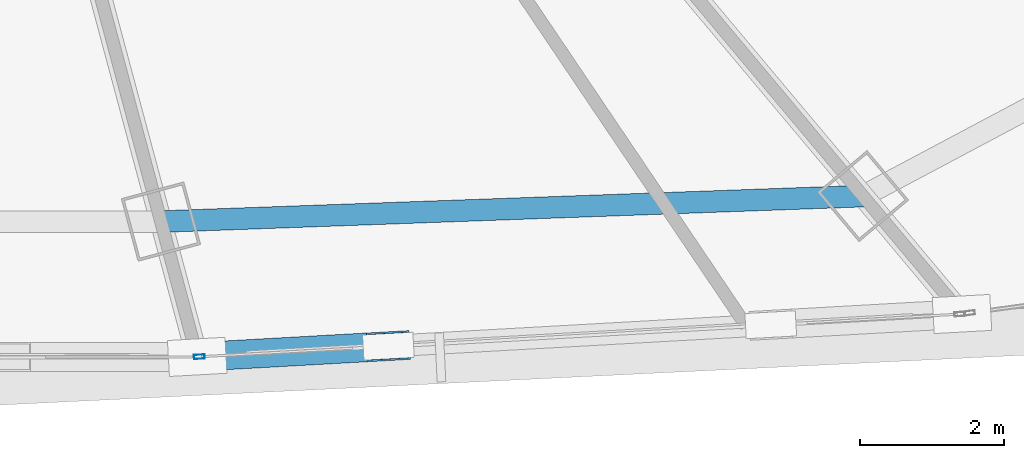
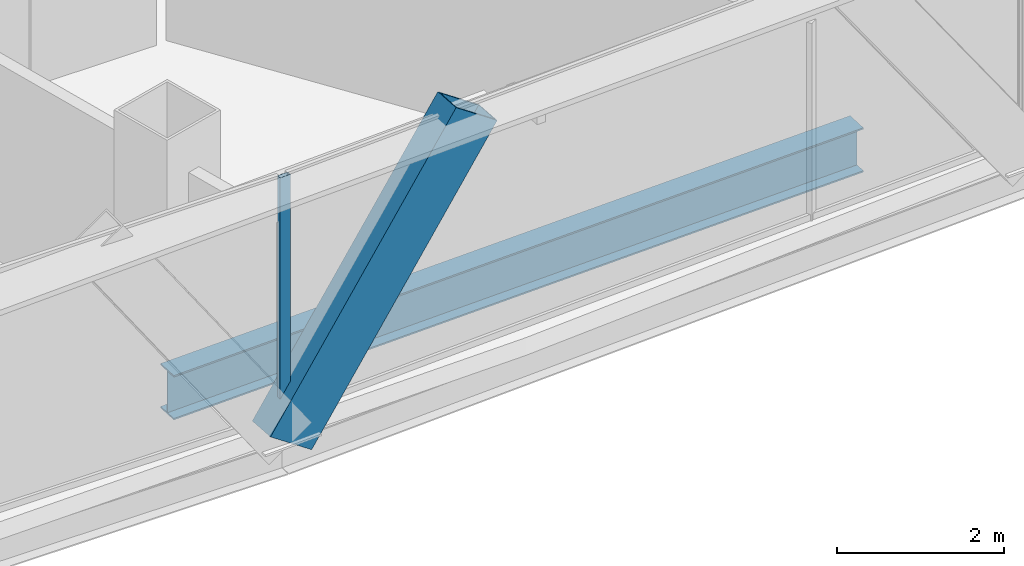
# One storey, part 12 of 37: 2 members, 1 beam, 1 element without a shape of its own.
"""IFC4 building model written with IfcOpenShell, lengths in metres."""

from ifc_helpers import new_model, si_unit, direction, frame, origin, origin_2d, place, context, subcontext, project, spatial, hollow_rectangle, i_section, extrude, source, transform, mapped, material, layer, layer_set, material_profile, profile_set, type_object, element, aggregate, save


model = new_model("IFC4")

# Units and contexts
model_context = context("Model", 3, precision=1e-05, world=origin(), true_north=direction((0.0, 1.0)))
body_context = subcontext(model_context, "Body", "Model", "MODEL_VIEW")
ifc_project = project(units=[si_unit("LENGTHUNIT", "METRE"), si_unit("AREAUNIT", "SQUARE_METRE"), si_unit("VOLUMEUNIT", "CUBIC_METRE"), si_unit("PLANEANGLEUNIT", "RADIAN"), si_unit("MASSUNIT", "GRAM", prefix="KILO"), si_unit("THERMODYNAMICTEMPERATUREUNIT", "KELVIN"), si_unit("POWERUNIT", "WATT")], contexts=[model_context])

# Site, building, storey
site_placement = place(None, origin())
site = spatial("IfcSite", under=ifc_project, at=site_placement, CompositionType="ELEMENT")
building_placement = place(site_placement, origin())
building = spatial("IfcBuilding", under=site, at=building_placement, Name="Yunzhuo Pagoda Commons", CompositionType="ELEMENT")
storey_placement = place(building_placement, frame((0.0, 0.0, 192.360107421875)))
storey = spatial("IfcBuildingStorey", under=building, at=storey_placement, Name="L48", CompositionType="ELEMENT", Elevation=192.360107421875)

# Beam
ifc_material_1 = material(Name="Structural steel Q355B", Category="steel")
ifc_material_profile_1 = material_profile(ifc_material_1, i_section(OverallWidth=0.300048828125, OverallDepth=0.64990234375, WebThickness=0.012939453125, FlangeThickness=0.02197265625, at=origin_2d()), Name="Structural steel Q355B")
ifc_profile_set_1 = profile_set([ifc_material_profile_1], Name="Structural steel Q355B")
beam_type = type_object("IfcBeamType", Name="B-RG2 Beam HN 650x300x13x22", PredefinedType="BEAM", material=ifc_profile_set_1)
shared_shape_1 = source(origin(), body_context, "Body", "SweptSolid", [
    extrude(i_section(OverallWidth=0.300048828125, OverallDepth=0.64990234375, WebThickness=0.012939453125, FlangeThickness=0.02197265625, at=origin_2d()), origin(), (0.0, 0.0, 1.0), 9.754638671875),
])
beam_placement = place(storey_placement, frame((52.712890625, 16.1123046875, -0.585205078125), z_axis=(0.999343095614, 0.036240547032, 0.0), x_axis=(-0.036240547032, 0.999343095614, 0.0)))
element("IfcBeam", 1, at=beam_placement, inside=storey, type_object=beam_type, Name="L48 column-ring beam 3", PredefinedType="BEAM", context=body_context, shape_type="MappedRepresentation", body=[
    mapped(shared_shape_1, transform((0.0, 0.0, 0.0), scale=1.0)),
])

# Member
ifc_material_profile_2 = material_profile(ifc_material_1, hollow_rectangle(XDim=0.39990234375, YDim=0.719970703125, WallThickness=0.02392578125, at=origin_2d()), Name="Structural steel Q355B")
ifc_profile_set_2 = profile_set([ifc_material_profile_2], Name="Structural steel Q355B")
member_type_1 = type_object("IfcMemberType", Name="M-DL2 Brace BOX 720x400x24", PredefinedType="BRACE", material=ifc_profile_set_2)
shared_shape_2 = source(origin(), body_context, "Body", "SweptSolid", [
    extrude(hollow_rectangle(XDim=0.39990234375, YDim=0.719970703125, WallThickness=0.02392578125, at=origin_2d()), origin(), (0.0, 0.0, 1.0), 4.6376953125),
])
member_1_placement = place(storey_placement, frame((53.21630859375, 14.233642578125, -0.260009765625), z_axis=(0.572397071663, 0.032060132129, 0.819349583681), x_axis=(-0.055922650457, 0.998435104133, 0.0)))
element("IfcMember", 2, at=member_1_placement, inside=storey, type_object=member_type_1, Name="L48 facade diamond brace F1.3L", PredefinedType="BRACE", context=body_context, shape_type="MappedRepresentation", body=[
    mapped(shared_shape_2, transform((0.0, 0.0, 0.0), scale=1.0)),
])

# Curtain wall, member
ifc_material_2 = material(Name="Anodized aluminium 6063-T6", Category="aluminium")
ifc_layer = layer(ifc_material_2, 0.14990234375)
ifc_layer_set = layer_set([ifc_layer], Name="Anodized aluminium 6063-T6")
curtain_wall_type = type_object("IfcCurtainWallType", Name="CW-MID Mid-Zone Ribbon Curtain Wall", PredefinedType="NOTDEFINED", material=ifc_layer_set)
curtain_wall_placement = place(storey_placement, origin())
curtain_wall = element("IfcCurtainWall", 3, at=curtain_wall_placement, inside=storey, type_object=curtain_wall_type, Name="L48 curtain wall CW-L48-F1B4", PredefinedType="NOTDEFINED")
ifc_material_profile_3 = material_profile(ifc_material_2, hollow_rectangle(XDim=0.06005859375, YDim=0.14990234375, WallThickness=0.00390625, at=origin_2d()), Name="Anodized aluminium 6063-T6")
ifc_profile_set_3 = profile_set([ifc_material_profile_3], Name="Anodized aluminium 6063-T6")
member_type_2 = type_object("IfcMemberType", Name="CW-MID-M Mullion RHS 150x60x4", PredefinedType="MULLION", material=ifc_profile_set_3)
shared_shape_3 = source(origin(), body_context, "Body", "SweptSolid", [
    extrude(hollow_rectangle(XDim=0.06005859375, YDim=0.14990234375, WallThickness=0.00390625, at=origin_2d()), origin(), (0.0, 0.0, 1.0), 3.539794921875),
])
member_2_placement = place(storey_placement, frame((53.245849609375, 14.2353515625, 0.0), z_axis=(0.0, 0.0, 1.0), x_axis=(-0.055982959182, 0.998431724396, 0.0)))
member_2 = element("IfcMember", 4, at=member_2_placement, type_object=member_type_2, Name="CW mullion 1", PredefinedType="MULLION", context=body_context, shape_type="MappedRepresentation", body=[
    mapped(shared_shape_3, transform((0.0, 0.0, 0.0), scale=1.0)),
])
aggregate(curtain_wall, [member_2])

save(model, "model.ifc")
